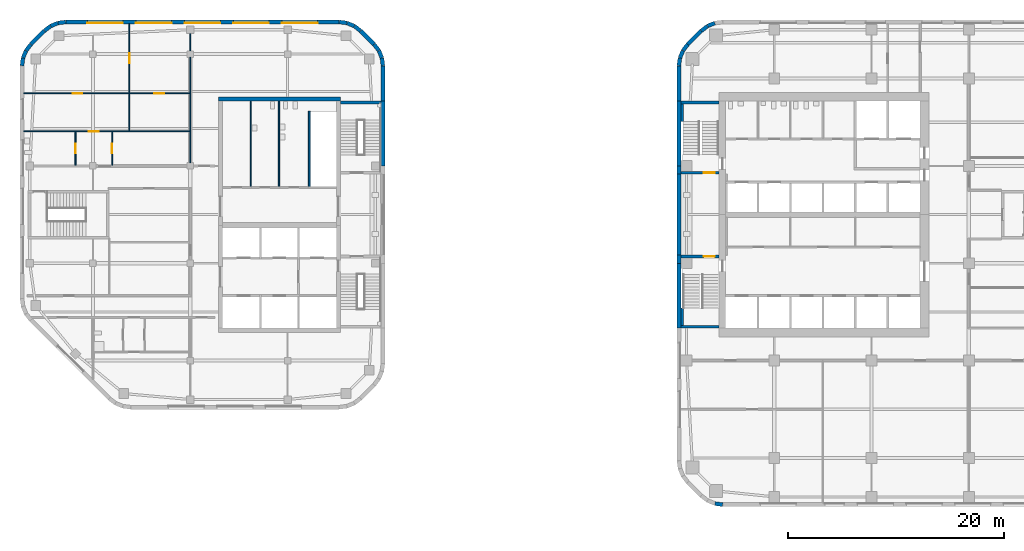
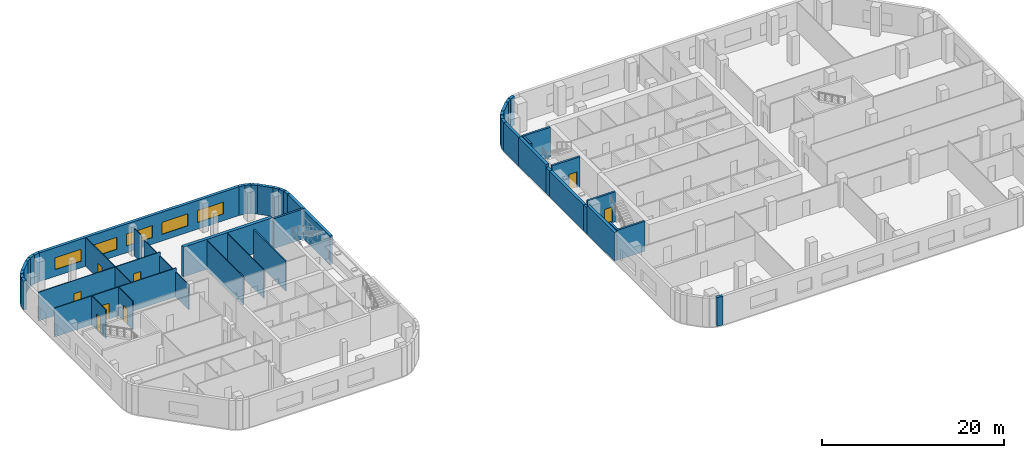
# One storey, part 7 of 14: 51 walls, 8 doors, 5 windows, 13 openings.
"""IFC4 building model written with IfcOpenShell, lengths in metres."""

from ifc_helpers import new_model, si_unit, direction, frame, frame_2d, origin, place, context, subcontext, project, spatial, rectangle, extrude, material, layer, layer_set, type_object, element, fill, save


model = new_model("IFC4")

# Units and contexts
model_context = context("Model", 3, precision=1e-05, world=origin(), true_north=direction((0.0, 1.0)))
body_context = subcontext(model_context, "Body", "Model", "MODEL_VIEW")
ifc_project = project(units=[si_unit("LENGTHUNIT", "METRE"), si_unit("AREAUNIT", "SQUARE_METRE"), si_unit("VOLUMEUNIT", "CUBIC_METRE"), si_unit("PLANEANGLEUNIT", "RADIAN"), si_unit("MASSUNIT", "GRAM", prefix="KILO")], contexts=[model_context])

# Site, building, storey
site_placement = place(None, origin())
site = spatial("IfcSite", under=ifc_project, at=site_placement, CompositionType="ELEMENT")
building_placement = place(site_placement, origin())
building = spatial("IfcBuilding", under=site, at=building_placement, Name="Cinnabar Reach Civic Tower", CompositionType="ELEMENT")
storey_placement = place(building_placement, frame((0.0, 0.0, 136.0)))
storey = spatial("IfcBuildingStorey", under=building, at=storey_placement, Name="L32", CompositionType="ELEMENT", Elevation=136.0)

# Walls
ifc_material_1 = material(Name="Facing brick with insulated backing", Category="masonry")
ifc_layer_1 = layer(ifc_material_1, 0.36)
ifc_layer_set_1 = layer_set([ifc_layer_1], Name="Brick corner wall")
wall_type_1 = type_object("IfcWallType", Name="Brick corner wall", PredefinedType="STANDARD", material=ifc_layer_set_1)
wall_1_placement = place(storey_placement, frame((3.5027, 49.2181, 0.0), z_axis=(0.0, 0.0, 1.0), x_axis=(-0.923871547278, -0.382702709855, 0.0)))
element("IfcWall", 1, at=wall_1_placement, inside=storey, type_object=wall_type_1, Name="Brick corner wall", PredefinedType="STANDARD", context=body_context, shape_type="SweptSolid", body=[
    extrude(rectangle(XDim=0.7131, YDim=0.36, at=frame_2d((0.3565, 0.0))), origin(), (0.0, 0.0, 1.0), 3.85),
])
for number, where, z_axis, x_axis, name in (
    (2, (2.8245, 48.934, 0.0), (0.0, 0.0, 1.0), (-0.793321924995, -0.608802368033, 0.0), "Brick corner wall"),
    (3, (1.0002, 47.2413, 0.0), (0.0, 0.0, 1.0), (-0.608802368033, -0.793321924995, 0.0), "Brick corner wall"),
):
    element("IfcWall", number, at=place(storey_placement, frame(where, z_axis=z_axis, x_axis=x_axis)), inside=storey, type_object=wall_type_1, Name=name, PredefinedType="STANDARD", context=body_context, shape_type="SweptSolid", body=[
        extrude(rectangle(XDim=0.7132, YDim=0.36, at=frame_2d((0.3566, 0.0))), origin(), (0.0, 0.0, 1.0), 3.85),
    ])
for number, where, z_axis, x_axis, name in (
    (4, (0.5548, 46.6561, 0.0), (0.0, 0.0, 1.0), (-0.382702709855, -0.923871547278, 0.0), "Brick corner wall"),
    (5, (0.2761, 45.9756, 0.0), (0.0, 0.0, 1.0), (-0.13055608231, -0.99144092581, 0.0), "Brick corner wall"),
    (6, (3.5244, 4.7761, 0.0), (0.0, 0.0, 1.0), (0.99144092581, -0.13055608231, 0.0), "Brick corner wall"),
    (7, (-27.183, 45.2686, 0.0), (0.0, 0.0, 1.0), (-0.13055608231, 0.99144092581, 0.0), "Brick corner wall"),
    (8, (-27.2819, 45.9973, 0.0), (0.0, 0.0, 1.0), (-0.382702709855, 0.923871547278, 0.0), "Brick corner wall"),
):
    element("IfcWall", number, at=place(storey_placement, frame(where, z_axis=z_axis, x_axis=x_axis)), inside=storey, type_object=wall_type_1, Name=name, PredefinedType="STANDARD", context=body_context, shape_type="SweptSolid", body=[
        extrude(rectangle(XDim=0.7131, YDim=0.36, at=frame_2d((0.3565, 0.0))), origin(), (0.0, 0.0, 1.0), 3.85),
    ])
for number, where, z_axis, x_axis, name in (
    (9, (-27.566, 46.6755, 0.0), (0.0, 0.0, 1.0), (-0.608802368033, 0.793321924995, 0.0), "Brick corner wall"),
    (10, (-29.2587, 48.4998, 0.0), (0.0, 0.0, 1.0), (-0.793321924995, 0.608802368033, 0.0), "Brick corner wall"),
):
    element("IfcWall", number, at=place(storey_placement, frame(where, z_axis=z_axis, x_axis=x_axis)), inside=storey, type_object=wall_type_1, Name=name, PredefinedType="STANDARD", context=body_context, shape_type="SweptSolid", body=[
        extrude(rectangle(XDim=0.7132, YDim=0.36, at=frame_2d((0.3566, 0.0))), origin(), (0.0, 0.0, 1.0), 3.85),
    ])
for number, where, z_axis, x_axis, name in (
    (11, (-29.8439, 48.9452, 0.0), (0.0, 0.0, 1.0), (-0.923871547278, 0.382702709855, 0.0), "Brick corner wall"),
    (12, (-30.5244, 49.2239, 0.0), (0.0, 0.0, 1.0), (-0.99144092581, 0.13055608231, 0.0), "Brick corner wall"),
    (13, (-56.5186, 49.317, 0.0), (0.0, 0.0, 1.0), (-0.99144092581, -0.13055608231, 0.0), "Brick corner wall"),
    (14, (-57.2473, 49.2181, 0.0), (0.0, 0.0, 1.0), (-0.923871547278, -0.382702709855, 0.0), "Brick corner wall"),
):
    element("IfcWall", number, at=place(storey_placement, frame(where, z_axis=z_axis, x_axis=x_axis)), inside=storey, type_object=wall_type_1, Name=name, PredefinedType="STANDARD", context=body_context, shape_type="SweptSolid", body=[
        extrude(rectangle(XDim=0.7131, YDim=0.36, at=frame_2d((0.3565, 0.0))), origin(), (0.0, 0.0, 1.0), 3.85),
    ])
for number, where, z_axis, x_axis, name in (
    (15, (-57.9255, 48.934, 0.0), (0.0, 0.0, 1.0), (-0.793321924995, -0.608802368033, 0.0), "Brick corner wall"),
    (16, (-59.7498, 47.2413, 0.0), (0.0, 0.0, 1.0), (-0.608802368033, -0.793321924995, 0.0), "Brick corner wall"),
):
    element("IfcWall", number, at=place(storey_placement, frame(where, z_axis=z_axis, x_axis=x_axis)), inside=storey, type_object=wall_type_1, Name=name, PredefinedType="STANDARD", context=body_context, shape_type="SweptSolid", body=[
        extrude(rectangle(XDim=0.7132, YDim=0.36, at=frame_2d((0.3566, 0.0))), origin(), (0.0, 0.0, 1.0), 3.85),
    ])
for number, where, z_axis, x_axis, name in (
    (17, (-60.1952, 46.6561, 0.0), (0.0, 0.0, 1.0), (-0.382702709855, -0.923871547278, 0.0), "Brick corner wall"),
    (18, (-60.4739, 45.9756, 0.0), (0.0, 0.0, 1.0), (-0.13055608231, -0.99144092581, 0.0), "Brick corner wall"),
):
    element("IfcWall", number, at=place(storey_placement, frame(where, z_axis=z_axis, x_axis=x_axis)), inside=storey, type_object=wall_type_1, Name=name, PredefinedType="STANDARD", context=body_context, shape_type="SweptSolid", body=[
        extrude(rectangle(XDim=0.7131, YDim=0.36, at=frame_2d((0.3565, 0.0))), origin(), (0.0, 0.0, 1.0), 3.85),
    ])
ifc_layer_2 = layer(ifc_material_1, 0.36)
ifc_layer_set_2 = layer_set([ifc_layer_2], Name="Brick pier and spandrel wall")
wall_type_2 = type_object("IfcWallType", Name="Brick pier and spandrel wall", PredefinedType="STANDARD", material=ifc_layer_set_2)
wall_2_placement = place(storey_placement, frame((2.2486, 48.494, 0.0), z_axis=(0.0, 0.0, 1.0), x_axis=(-0.707106781187, -0.707106781187, 0.0)))
element("IfcWall", 19, at=wall_2_placement, inside=storey, type_object=wall_type_2, Name="Brick facade wall", PredefinedType="STANDARD", context=body_context, shape_type="SweptSolid", body=[
    extrude(rectangle(XDim=1.7573, YDim=0.36, at=frame_2d((0.8787, 0.0))), origin(), (0.0, 0.0, 1.0), 3.85),
])
wall_3_placement = place(storey_placement, frame((0.18, 45.2574, 0.0), z_axis=(0.0, 0.0, 1.0), x_axis=(0.0, -1.0, 0.0)))
element("IfcWall", 20, at=wall_3_placement, inside=storey, type_object=wall_type_2, Name="Brick facade wall", PredefinedType="STANDARD", context=body_context, shape_type="SweptSolid", body=[
    extrude(rectangle(XDim=3.2574, YDim=0.36, at=frame_2d((1.6287, 0.0))), origin(), (0.0, 0.0, 1.0), 3.85),
])
wall_4_placement = place(storey_placement, frame((0.18, 42.0, 0.0), z_axis=(0.0, 0.0, 1.0), x_axis=(0.0, -1.0, 0.0)))
element("IfcWall", 21, at=wall_4_placement, inside=storey, type_object=wall_type_2, Name="Brick facade wall", PredefinedType="STANDARD", context=body_context, shape_type="SweptSolid", body=[
    extrude(rectangle(XDim=6.0, YDim=0.36, at=frame_2d((3.0, 0.0))), origin(), (0.0, 0.0, 1.0), 3.85),
])
wall_5_placement = place(storey_placement, frame((0.18, 36.0, 0.0), z_axis=(0.0, 0.0, 1.0), x_axis=(0.0, -1.0, 0.0)))
element("IfcWall", 22, at=wall_5_placement, inside=storey, type_object=wall_type_2, Name="Brick facade wall", PredefinedType="STANDARD", context=body_context, shape_type="SweptSolid", body=[
    extrude(rectangle(XDim=0.75, YDim=0.36, at=frame_2d((0.375, 0.0))), origin(), (0.0, 0.0, 1.0), 3.436),
])
wall_6_placement = place(storey_placement, frame((0.18, 35.25, 0.0), z_axis=(0.0, 0.0, 1.0), x_axis=(0.0, -1.0, 0.0)))
element("IfcWall", 23, at=wall_6_placement, inside=storey, type_object=wall_type_2, Name="Brick facade wall", PredefinedType="STANDARD", context=body_context, shape_type="SweptSolid", body=[
    extrude(rectangle(XDim=7.5, YDim=0.36, at=frame_2d((3.75, 0.0))), origin(), (0.0, 0.0, 1.0), 3.436),
])
wall_7_placement = place(storey_placement, frame((0.18, 27.75, 0.0), z_axis=(0.0, 0.0, 1.0), x_axis=(0.0, -1.0, 0.0)))
element("IfcWall", 24, at=wall_7_placement, inside=storey, type_object=wall_type_2, Name="Brick facade wall", PredefinedType="STANDARD", context=body_context, shape_type="SweptSolid", body=[
    extrude(rectangle(XDim=0.75, YDim=0.36, at=frame_2d((0.375, 0.0))), origin(), (0.0, 0.0, 1.0), 3.436),
])
for number, where, z_axis, x_axis, name in (
    (25, (0.18, 27.0, 0.0), (0.0, 0.0, 1.0), (0.0, -1.0, 0.0), "Brick facade wall"),
    (26, (-27.18, 36.0, 0.0), (0.0, 0.0, 1.0), (0.0, 1.0, 0.0), "Brick facade wall"),
):
    element("IfcWall", number, at=place(storey_placement, frame(where, z_axis=z_axis, x_axis=x_axis)), inside=storey, type_object=wall_type_2, Name=name, PredefinedType="STANDARD", context=body_context, shape_type="SweptSolid", body=[
        extrude(rectangle(XDim=6.0, YDim=0.36, at=frame_2d((3.0, 0.0))), origin(), (0.0, 0.0, 1.0), 3.85),
    ])
wall_8_placement = place(storey_placement, frame((-27.18, 42.0, 0.0), z_axis=(0.0, 0.0, 1.0), x_axis=(0.0, 1.0, 0.0)))
element("IfcWall", 27, at=wall_8_placement, inside=storey, type_object=wall_type_2, Name="Brick facade wall", PredefinedType="STANDARD", context=body_context, shape_type="SweptSolid", body=[
    extrude(rectangle(XDim=3.2574, YDim=0.36, at=frame_2d((1.6287, 0.0))), origin(), (0.0, 0.0, 1.0), 3.85),
])
wall_9_placement = place(storey_placement, frame((-28.006, 47.2514, 0.0), z_axis=(0.0, 0.0, 1.0), x_axis=(-0.707106781187, 0.707106781187, 0.0)))
element("IfcWall", 28, at=wall_9_placement, inside=storey, type_object=wall_type_2, Name="Brick facade wall", PredefinedType="STANDARD", context=body_context, shape_type="SweptSolid", body=[
    extrude(rectangle(XDim=1.7573, YDim=0.36, at=frame_2d((0.8787, 0.0))), origin(), (0.0, 0.0, 1.0), 3.85),
])

# Wall, openings, windows
wall_10_placement = place(storey_placement, frame((-31.2426, 49.32, 0.0), z_axis=(0.0, 0.0, 1.0), x_axis=(-1.0, 0.0, 0.0)))
wall_10 = element("IfcWall", 29, at=wall_10_placement, inside=storey, type_object=wall_type_2, Name="Brick facade wall", PredefinedType="STANDARD", context=body_context, shape_type="SweptSolid", body=[
    extrude(rectangle(XDim=25.2648, YDim=0.36, at=frame_2d((12.6324, 0.0))), origin(), (0.0, 0.0, 1.0), 3.85),
])
opening_1_placement = place(wall_10_placement, frame((1.9824, 0.0, 0.9)))
opening_1 = element("IfcOpeningElement", 30, at=opening_1_placement, cuts=wall_10, Name="Opening W2797", PredefinedType="OPENING", context=body_context, shape_type="SweptSolid", body=[
    extrude(rectangle(XDim=3.3, YDim=1.6, at=frame_2d((1.65, 0.8))), frame((0.0, 0.19, 0.0), z_axis=(0.0, -1.0, 0.0), x_axis=(1.0, 0.0, 0.0)), (0.0, 0.0, 1.0), 0.38),
])
opening_2_placement = place(wall_10_placement, frame((6.4824, 0.0, 0.9)))
opening_2 = element("IfcOpeningElement", 31, at=opening_2_placement, cuts=wall_10, Name="Opening W2798", PredefinedType="OPENING", context=body_context, shape_type="SweptSolid", body=[
    extrude(rectangle(XDim=3.3, YDim=1.6, at=frame_2d((1.65, 0.8))), frame((0.0, 0.19, 0.0), z_axis=(0.0, -1.0, 0.0), x_axis=(1.0, 0.0, 0.0)), (0.0, 0.0, 1.0), 0.38),
])
opening_3_placement = place(wall_10_placement, frame((10.9824, 0.0, 0.9)))
opening_3 = element("IfcOpeningElement", 32, at=opening_3_placement, cuts=wall_10, Name="Opening W2799", PredefinedType="OPENING", context=body_context, shape_type="SweptSolid", body=[
    extrude(rectangle(XDim=3.3, YDim=1.6, at=frame_2d((1.65, 0.8))), frame((0.0, 0.19, 0.0), z_axis=(0.0, -1.0, 0.0), x_axis=(1.0, 0.0, 0.0)), (0.0, 0.0, 1.0), 0.38),
])
opening_4_placement = place(wall_10_placement, frame((15.4824, 0.0, 0.9)))
opening_4 = element("IfcOpeningElement", 33, at=opening_4_placement, cuts=wall_10, Name="Opening W2800", PredefinedType="OPENING", context=body_context, shape_type="SweptSolid", body=[
    extrude(rectangle(XDim=3.3, YDim=1.6, at=frame_2d((1.65, 0.8))), frame((0.0, 0.19, 0.0), z_axis=(0.0, -1.0, 0.0), x_axis=(1.0, 0.0, 0.0)), (0.0, 0.0, 1.0), 0.38),
])
opening_5_placement = place(wall_10_placement, frame((19.9824, 0.0, 0.9)))
opening_5 = element("IfcOpeningElement", 34, at=opening_5_placement, cuts=wall_10, Name="Opening W2801", PredefinedType="OPENING", context=body_context, shape_type="SweptSolid", body=[
    extrude(rectangle(XDim=3.3, YDim=1.6, at=frame_2d((1.65, 0.8))), frame((0.0, 0.19, 0.0), z_axis=(0.0, -1.0, 0.0), x_axis=(1.0, 0.0, 0.0)), (0.0, 0.0, 1.0), 0.38),
])
ifc_material_2 = material(Name="Clear double glazing in aluminium frame", Category="aluminium")
window_type = type_object("IfcWindowType", Name="Deep-set window A", PartitioningType="SINGLE_PANEL", PredefinedType="WINDOW", material=ifc_material_2)
window_1_placement = place(opening_1_placement, origin())
window_1 = element("IfcWindow", 35, at=window_1_placement, inside=storey, type_object=window_type, Name="Window north face", OverallHeight=1.6, OverallWidth=3.3, PartitioningType="SINGLE_PANEL", PredefinedType="WINDOW", context=body_context, shape_type="SweptSolid", body=[
    extrude(rectangle(XDim=3.3, YDim=1.6, at=frame_2d((1.65, 0.8))), frame((0.0, 0.13, 0.0), z_axis=(0.0, -1.0, 0.0), x_axis=(1.0, 0.0, 0.0)), (0.0, 0.0, 1.0), 0.06),
])
fill(opening_1, window_1)
window_2_placement = place(opening_2_placement, origin())
window_2 = element("IfcWindow", 36, at=window_2_placement, inside=storey, type_object=window_type, Name="Window north face", OverallHeight=1.6, OverallWidth=3.3, PartitioningType="SINGLE_PANEL", PredefinedType="WINDOW", context=body_context, shape_type="SweptSolid", body=[
    extrude(rectangle(XDim=3.3, YDim=1.6, at=frame_2d((1.65, 0.8))), frame((0.0, 0.13, 0.0), z_axis=(0.0, -1.0, 0.0), x_axis=(1.0, 0.0, 0.0)), (0.0, 0.0, 1.0), 0.06),
])
fill(opening_2, window_2)
window_3_placement = place(opening_3_placement, origin())
window_3 = element("IfcWindow", 37, at=window_3_placement, inside=storey, type_object=window_type, Name="Window north face", OverallHeight=1.6, OverallWidth=3.3, PartitioningType="SINGLE_PANEL", PredefinedType="WINDOW", context=body_context, shape_type="SweptSolid", body=[
    extrude(rectangle(XDim=3.3, YDim=1.6, at=frame_2d((1.65, 0.8))), frame((0.0, 0.13, 0.0), z_axis=(0.0, -1.0, 0.0), x_axis=(1.0, 0.0, 0.0)), (0.0, 0.0, 1.0), 0.06),
])
fill(opening_3, window_3)
window_4_placement = place(opening_4_placement, origin())
window_4 = element("IfcWindow", 38, at=window_4_placement, inside=storey, type_object=window_type, Name="Window north face", OverallHeight=1.6, OverallWidth=3.3, PartitioningType="SINGLE_PANEL", PredefinedType="WINDOW", context=body_context, shape_type="SweptSolid", body=[
    extrude(rectangle(XDim=3.3, YDim=1.6, at=frame_2d((1.65, 0.8))), frame((0.0, 0.13, 0.0), z_axis=(0.0, -1.0, 0.0), x_axis=(1.0, 0.0, 0.0)), (0.0, 0.0, 1.0), 0.06),
])
fill(opening_4, window_4)
window_5_placement = place(opening_5_placement, origin())
window_5 = element("IfcWindow", 39, at=window_5_placement, inside=storey, type_object=window_type, Name="Window north face", OverallHeight=1.6, OverallWidth=3.3, PartitioningType="SINGLE_PANEL", PredefinedType="WINDOW", context=body_context, shape_type="SweptSolid", body=[
    extrude(rectangle(XDim=3.3, YDim=1.6, at=frame_2d((1.65, 0.8))), frame((0.0, 0.13, 0.0), z_axis=(0.0, -1.0, 0.0), x_axis=(1.0, 0.0, 0.0)), (0.0, 0.0, 1.0), 0.06),
])
fill(opening_5, window_5)

# Walls
wall_11_placement = place(storey_placement, frame((-58.5014, 48.494, 0.0), z_axis=(0.0, 0.0, 1.0), x_axis=(-0.707106781187, -0.707106781187, 0.0)))
element("IfcWall", 40, at=wall_11_placement, inside=storey, type_object=wall_type_2, Name="Brick facade wall", PredefinedType="STANDARD", context=body_context, shape_type="SweptSolid", body=[
    extrude(rectangle(XDim=1.7573, YDim=0.36, at=frame_2d((0.8787, 0.0))), origin(), (0.0, 0.0, 1.0), 3.85),
])
ifc_material_3 = material(Name="Concrete C60", Category="concrete")
ifc_layer_3 = layer(ifc_material_3, 0.4)
ifc_layer_set_3 = layer_set([ifc_layer_3], Name="Core wall 400 EI 180")
wall_type_3 = type_object("IfcWallType", Name="Core wall 400 EI 180", PredefinedType="SOLIDWALL", material=ifc_layer_set_3)
wall_12_placement = place(storey_placement, frame((-31.1, 42.2, 0.0), z_axis=(0.0, 0.0, 1.0), x_axis=(-1.0, 0.0, 0.0)))
element("IfcWall", 41, at=wall_12_placement, inside=storey, type_object=wall_type_3, Name="Core wall T2 L32 N", PredefinedType="SOLIDWALL", context=body_context, shape_type="SweptSolid", body=[
    extrude(rectangle(XDim=11.3, YDim=0.4, at=frame_2d((5.65, 0.0))), origin(), (0.0, 0.0, 1.0), 4.0),
])

# Wall, opening, door
ifc_material_4 = material(Name="Gypsum board on steel studs", Category="steel")
ifc_layer_4 = layer(ifc_material_4, 0.1)
ifc_layer_set_4 = layer_set([ifc_layer_4], Name="Partition wall 100 T2")
wall_type_4 = type_object("IfcWallType", Name="Partition wall 100 T2", PredefinedType="PARTITIONING", material=ifc_layer_set_4)
wall_13_placement = place(storey_placement, frame((-60.39, 39.2, 0.0), z_axis=(0.0, 0.0, 1.0), x_axis=(1.0, 0.0, 0.0)))
wall_13 = element("IfcWall", 42, at=wall_13_placement, inside=storey, type_object=wall_type_4, Name="Partition wall 9", PredefinedType="PARTITIONING", context=body_context, shape_type="SweptSolid", body=[
    extrude(rectangle(XDim=15.44, YDim=0.1, at=frame_2d((7.72, 0.0))), origin(), (0.0, 0.0, 1.0), 3.85),
])
opening_6_placement = place(wall_13_placement, frame((6.0209, 0.0, 0.0)))
opening_6 = element("IfcOpeningElement", 43, at=opening_6_placement, cuts=wall_13, Name="Opening D7156", PredefinedType="OPENING", context=body_context, shape_type="SweptSolid", body=[
    extrude(rectangle(XDim=0.9, YDim=2.1, at=frame_2d((0.45, 1.05))), frame((0.0, 0.06, 0.0), z_axis=(0.0, -1.0, 0.0), x_axis=(1.0, 0.0, 0.0)), (0.0, 0.0, 1.0), 0.12),
])
ifc_material_5 = material(Name="Timber door leaf in steel frame", Category="steel")
door_type_1 = type_object("IfcDoorType", Name="Single swing door 900 x 2100 T2", OperationType="SINGLE_SWING_LEFT", PredefinedType="DOOR", material=ifc_material_5)
door_1_placement = place(opening_6_placement, frame((0.9, 0.0, 0.0), z_axis=(0.0, 0.0, 1.0), x_axis=(-1.0, 0.0, 0.0)))
door_1 = element("IfcDoor", 44, at=door_1_placement, inside=storey, type_object=door_type_1, Name="Door D7156", OperationType="SINGLE_SWING_RIGHT", OverallHeight=2.1, OverallWidth=0.9, PredefinedType="DOOR", context=body_context, shape_type="SweptSolid", body=[
    extrude(rectangle(XDim=0.9, YDim=2.1, at=frame_2d((0.45, 1.05))), frame((0.0, 0.025, 0.0), z_axis=(0.0, -1.0, 0.0), x_axis=(1.0, 0.0, 0.0)), (0.0, 0.0, 1.0), 0.05),
])
fill(opening_6, door_1)

# Wall, openings, doors
wall_14_placement = place(storey_placement, frame((-60.39, 42.7102, 0.0), z_axis=(0.0, 0.0, 1.0), x_axis=(1.0, 0.0, 0.0)))
wall_14 = element("IfcWall", 45, at=wall_14_placement, inside=storey, type_object=wall_type_4, Name="Partition wall 10", PredefinedType="PARTITIONING", context=body_context, shape_type="SweptSolid", body=[
    extrude(rectangle(XDim=15.44, YDim=0.1, at=frame_2d((7.72, 0.0))), origin(), (0.0, 0.0, 1.0), 3.85),
])
opening_7_placement = place(wall_14_placement, frame((4.5, 0.0, 0.0)))
opening_7 = element("IfcOpeningElement", 46, at=opening_7_placement, cuts=wall_14, Name="Opening D7158", PredefinedType="OPENING", context=body_context, shape_type="SweptSolid", body=[
    extrude(rectangle(XDim=0.9, YDim=2.1, at=frame_2d((0.45, 1.05))), frame((0.0, 0.06, 0.0), z_axis=(0.0, -1.0, 0.0), x_axis=(1.0, 0.0, 0.0)), (0.0, 0.0, 1.0), 0.12),
])
opening_8_placement = place(wall_14_placement, frame((12.06, 0.0, 0.0)))
opening_8 = element("IfcOpeningElement", 47, at=opening_8_placement, cuts=wall_14, Name="Opening D7159", PredefinedType="OPENING", context=body_context, shape_type="SweptSolid", body=[
    extrude(rectangle(XDim=0.9, YDim=2.1, at=frame_2d((0.45, 1.05))), frame((0.0, 0.06, 0.0), z_axis=(0.0, -1.0, 0.0), x_axis=(1.0, 0.0, 0.0)), (0.0, 0.0, 1.0), 0.12),
])
door_2_placement = place(opening_7_placement, frame((0.9, 0.0, 0.0), z_axis=(0.0, 0.0, 1.0), x_axis=(-1.0, 0.0, 0.0)))
door_2 = element("IfcDoor", 48, at=door_2_placement, inside=storey, type_object=door_type_1, Name="Door D7158", OperationType="SINGLE_SWING_LEFT", OverallHeight=2.1, OverallWidth=0.9, PredefinedType="DOOR", context=body_context, shape_type="SweptSolid", body=[
    extrude(rectangle(XDim=0.9, YDim=2.1, at=frame_2d((0.45, 1.05))), frame((0.0, 0.025, 0.0), z_axis=(0.0, -1.0, 0.0), x_axis=(1.0, 0.0, 0.0)), (0.0, 0.0, 1.0), 0.05),
])
fill(opening_7, door_2)
door_3_placement = place(opening_8_placement, origin())
door_3 = element("IfcDoor", 49, at=door_3_placement, inside=storey, type_object=door_type_1, Name="Door D7159", OperationType="SINGLE_SWING_LEFT", OverallHeight=2.1, OverallWidth=0.9, PredefinedType="DOOR", context=body_context, shape_type="SweptSolid", body=[
    extrude(rectangle(XDim=0.9, YDim=2.1, at=frame_2d((0.45, 1.05))), frame((0.0, 0.025, 0.0), z_axis=(0.0, -1.0, 0.0), x_axis=(1.0, 0.0, 0.0)), (0.0, 0.0, 1.0), 0.05),
])
fill(opening_8, door_3)

# Walls
wall_15_placement = place(storey_placement, frame((-45.0, 42.7602, 0.0), z_axis=(0.0, 0.0, 1.0), x_axis=(0.0, 1.0, 0.0)))
element("IfcWall", 50, at=wall_15_placement, inside=storey, type_object=wall_type_4, Name="Partition wall 11", PredefinedType="PARTITIONING", context=body_context, shape_type="SweptSolid", body=[
    extrude(rectangle(XDim=3.2898, YDim=0.1, at=frame_2d((1.6449, 0.0))), origin(), (0.0, 0.0, 1.0), 3.362),
])
wall_16_placement = place(storey_placement, frame((-45.0, 39.25, 0.0), z_axis=(0.0, 0.0, 1.0), x_axis=(0.0, 1.0, 0.0)))
element("IfcWall", 51, at=wall_16_placement, inside=storey, type_object=wall_type_4, Name="Partition wall 12", PredefinedType="PARTITIONING", context=body_context, shape_type="SweptSolid", body=[
    extrude(rectangle(XDim=3.4102, YDim=0.1, at=frame_2d((1.7051, 0.0))), origin(), (0.0, 0.0, 1.0), 3.362),
])
wall_17_placement = place(storey_placement, frame((-45.0, 36.3, 0.0), z_axis=(0.0, 0.0, 1.0), x_axis=(0.0, 1.0, 0.0)))
element("IfcWall", 52, at=wall_17_placement, inside=storey, type_object=wall_type_4, Name="Partition wall 13", PredefinedType="PARTITIONING", context=body_context, shape_type="SweptSolid", body=[
    extrude(rectangle(XDim=2.85, YDim=0.1, at=frame_2d((1.425, 0.0))), origin(), (0.0, 0.0, 1.0), 3.362),
])
wall_18_placement = place(storey_placement, frame((-45.0, 46.65, 0.0), z_axis=(0.0, 0.0, 1.0), x_axis=(0.0, 1.0, 0.0)))
element("IfcWall", 53, at=wall_18_placement, inside=storey, type_object=wall_type_4, Name="Partition wall 14", PredefinedType="PARTITIONING", context=body_context, shape_type="SweptSolid", body=[
    extrude(rectangle(XDim=1.6, YDim=0.1, at=frame_2d((0.8, 0.0))), origin(), (0.0, 0.0, 1.0), 3.652),
])
wall_19_placement = place(storey_placement, frame((-50.63, 39.25, 0.0), z_axis=(0.0, 0.0, 1.0), x_axis=(0.0, 1.0, 0.0)))
element("IfcWall", 54, at=wall_19_placement, inside=storey, type_object=wall_type_4, Name="Partition wall 15", PredefinedType="PARTITIONING", context=body_context, shape_type="SweptSolid", body=[
    extrude(rectangle(XDim=3.4102, YDim=0.1, at=frame_2d((1.7051, 0.0))), origin(), (0.0, 0.0, 1.0), 3.85),
])

# Wall, opening, door
wall_20_placement = place(storey_placement, frame((-50.63, 42.7602, 0.0), z_axis=(0.0, 0.0, 1.0), x_axis=(0.0, 1.0, 0.0)))
wall_20 = element("IfcWall", 55, at=wall_20_placement, inside=storey, type_object=wall_type_4, Name="Partition wall 16", PredefinedType="PARTITIONING", context=body_context, shape_type="SweptSolid", body=[
    extrude(rectangle(XDim=6.3798, YDim=0.1, at=frame_2d((3.1899, 0.0))), origin(), (0.0, 0.0, 1.0), 3.85),
])
opening_9_placement = place(wall_20_placement, frame((2.75, 0.0, 0.0)))
opening_9 = element("IfcOpeningElement", 56, at=opening_9_placement, cuts=wall_20, Name="Opening D7157", PredefinedType="OPENING", context=body_context, shape_type="SweptSolid", body=[
    extrude(rectangle(XDim=0.9, YDim=2.1, at=frame_2d((0.45, 1.05))), frame((0.0, 0.06, 0.0), z_axis=(0.0, -1.0, 0.0), x_axis=(1.0, 0.0, 0.0)), (0.0, 0.0, 1.0), 0.12),
])
door_4_placement = place(opening_9_placement, frame((0.9, 0.0, 0.0), z_axis=(0.0, 0.0, 1.0), x_axis=(-1.0, 0.0, 0.0)))
door_4 = element("IfcDoor", 57, at=door_4_placement, inside=storey, type_object=door_type_1, Name="Door D7157", OperationType="SINGLE_SWING_RIGHT", OverallHeight=2.1, OverallWidth=0.9, PredefinedType="DOOR", context=body_context, shape_type="SweptSolid", body=[
    extrude(rectangle(XDim=0.9, YDim=2.1, at=frame_2d((0.45, 1.05))), frame((0.0, 0.025, 0.0), z_axis=(0.0, -1.0, 0.0), x_axis=(1.0, 0.0, 0.0)), (0.0, 0.0, 1.0), 0.05),
])
fill(opening_9, door_4)

wall_21_placement = place(storey_placement, frame((-55.6191, 36.075, 0.0), z_axis=(0.0, 0.0, 1.0), x_axis=(0.0, 1.0, 0.0)))
wall_21 = element("IfcWall", 58, at=wall_21_placement, inside=storey, type_object=wall_type_4, Name="Partition wall 26", PredefinedType="PARTITIONING", context=body_context, shape_type="SweptSolid", body=[
    extrude(rectangle(XDim=3.075, YDim=0.1, at=frame_2d((1.5375, 0.0))), origin(), (0.0, 0.0, 1.0), 3.85),
])
opening_10_placement = place(wall_21_placement, frame((1.1, 0.0, 0.0)))
opening_10 = element("IfcOpeningElement", 59, at=opening_10_placement, cuts=wall_21, Name="Opening D7154", PredefinedType="OPENING", context=body_context, shape_type="SweptSolid", body=[
    extrude(rectangle(XDim=0.9, YDim=2.1, at=frame_2d((0.45, 1.05))), frame((0.0, 0.06, 0.0), z_axis=(0.0, -1.0, 0.0), x_axis=(1.0, 0.0, 0.0)), (0.0, 0.0, 1.0), 0.12),
])
door_5_placement = place(opening_10_placement, origin())
door_5 = element("IfcDoor", 60, at=door_5_placement, inside=storey, type_object=door_type_1, Name="Door D7154", OperationType="SINGLE_SWING_LEFT", OverallHeight=2.1, OverallWidth=0.9, PredefinedType="DOOR", context=body_context, shape_type="SweptSolid", body=[
    extrude(rectangle(XDim=0.9, YDim=2.1, at=frame_2d((0.45, 1.05))), frame((0.0, 0.025, 0.0), z_axis=(0.0, -1.0, 0.0), x_axis=(1.0, 0.0, 0.0)), (0.0, 0.0, 1.0), 0.05),
])
fill(opening_10, door_5)

wall_22_placement = place(storey_placement, frame((-52.2333, 36.075, 0.0), z_axis=(0.0, 0.0, 1.0), x_axis=(0.0, 1.0, 0.0)))
wall_22 = element("IfcWall", 61, at=wall_22_placement, inside=storey, type_object=wall_type_4, Name="Partition wall 27", PredefinedType="PARTITIONING", context=body_context, shape_type="SweptSolid", body=[
    extrude(rectangle(XDim=3.075, YDim=0.1, at=frame_2d((1.5375, 0.0))), origin(), (0.0, 0.0, 1.0), 3.85),
])
opening_11_placement = place(wall_22_placement, frame((1.1, 0.0, 0.0)))
opening_11 = element("IfcOpeningElement", 62, at=opening_11_placement, cuts=wall_22, Name="Opening D7155", PredefinedType="OPENING", context=body_context, shape_type="SweptSolid", body=[
    extrude(rectangle(XDim=0.9, YDim=2.1, at=frame_2d((0.45, 1.05))), frame((0.0, 0.06, 0.0), z_axis=(0.0, -1.0, 0.0), x_axis=(1.0, 0.0, 0.0)), (0.0, 0.0, 1.0), 0.12),
])
door_6_placement = place(opening_11_placement, origin())
door_6 = element("IfcDoor", 63, at=door_6_placement, inside=storey, type_object=door_type_1, Name="Door D7155", OperationType="SINGLE_SWING_RIGHT", OverallHeight=2.1, OverallWidth=0.9, PredefinedType="DOOR", context=body_context, shape_type="SweptSolid", body=[
    extrude(rectangle(XDim=0.9, YDim=2.1, at=frame_2d((0.45, 1.05))), frame((0.0, 0.025, 0.0), z_axis=(0.0, -1.0, 0.0), x_axis=(1.0, 0.0, 0.0)), (0.0, 0.0, 1.0), 0.05),
])
fill(opening_11, door_6)

# Wall
ifc_layer_5 = layer(ifc_material_3, 0.25)
ifc_layer_set_5 = layer_set([ifc_layer_5], Name="Stair shaft wall 250 EI 120")
wall_type_5 = type_object("IfcWallType", Name="Stair shaft wall 250 EI 120", PredefinedType="SOLIDWALL", material=ifc_layer_set_5)
wall_23_placement = place(storey_placement, frame((0.36, 21.125, 0.0), z_axis=(0.0, 0.0, 1.0), x_axis=(1.0, 0.0, 0.0)))
element("IfcWall", 64, at=wall_23_placement, inside=storey, type_object=wall_type_5, Name="Stair shaft wall T1-S1 L32", PredefinedType="SOLIDWALL", context=body_context, shape_type="SweptSolid", body=[
    extrude(rectangle(XDim=3.54, YDim=0.25, at=frame_2d((1.77, 0.0))), origin(), (0.0, 0.0, 1.0), 4.0),
])

# Wall, opening, door
wall_24_placement = place(storey_placement, frame((3.9, 27.625, 0.0), z_axis=(0.0, 0.0, 1.0), x_axis=(-1.0, 0.0, 0.0)))
wall_24 = element("IfcWall", 65, at=wall_24_placement, inside=storey, type_object=wall_type_5, Name="Stair shaft wall T1-S1 L32", PredefinedType="SOLIDWALL", context=body_context, shape_type="SweptSolid", body=[
    extrude(rectangle(XDim=3.54, YDim=0.25, at=frame_2d((1.77, 0.0))), origin(), (0.0, 0.0, 1.0), 4.0),
])
opening_12_placement = place(wall_24_placement, frame((0.4, 0.0, 0.0)))
opening_12 = element("IfcOpeningElement", 66, at=opening_12_placement, cuts=wall_24, Name="Opening D4291", PredefinedType="OPENING", context=body_context, shape_type="SweptSolid", body=[
    extrude(rectangle(XDim=1.0, YDim=2.1, at=frame_2d((0.5, 1.05))), frame((0.0, 0.135, 0.0), z_axis=(0.0, -1.0, 0.0), x_axis=(1.0, 0.0, 0.0)), (0.0, 0.0, 1.0), 0.27),
])
door_type_2 = type_object("IfcDoorType", Name="Stair door 1000 x 2100 T1", OperationType="SINGLE_SWING_LEFT", PredefinedType="DOOR", material=ifc_material_5)
door_7_placement = place(opening_12_placement, origin())
door_7 = element("IfcDoor", 67, at=door_7_placement, inside=storey, type_object=door_type_2, Name="Door D4291", OperationType="SINGLE_SWING_LEFT", OverallHeight=2.1, OverallWidth=1.0, PredefinedType="DOOR", context=body_context, shape_type="SweptSolid", body=[
    extrude(rectangle(XDim=1.0, YDim=2.1, at=frame_2d((0.5, 1.05))), frame((0.0, 0.025, 0.0), z_axis=(0.0, -1.0, 0.0), x_axis=(1.0, 0.0, 0.0)), (0.0, 0.0, 1.0), 0.05),
])
fill(opening_12, door_7)

wall_25_placement = place(storey_placement, frame((0.36, 35.375, 0.0), z_axis=(0.0, 0.0, 1.0), x_axis=(1.0, 0.0, 0.0)))
wall_25 = element("IfcWall", 68, at=wall_25_placement, inside=storey, type_object=wall_type_5, Name="Stair shaft wall T1-S2 L32", PredefinedType="SOLIDWALL", context=body_context, shape_type="SweptSolid", body=[
    extrude(rectangle(XDim=3.54, YDim=0.25, at=frame_2d((1.77, 0.0))), origin(), (0.0, 0.0, 1.0), 4.0),
])
opening_13_placement = place(wall_25_placement, frame((2.14, 0.0, 0.0)))
opening_13 = element("IfcOpeningElement", 69, at=opening_13_placement, cuts=wall_25, Name="Opening D4293", PredefinedType="OPENING", context=body_context, shape_type="SweptSolid", body=[
    extrude(rectangle(XDim=1.0, YDim=2.1, at=frame_2d((0.5, 1.05))), frame((0.0, 0.135, 0.0), z_axis=(0.0, -1.0, 0.0), x_axis=(1.0, 0.0, 0.0)), (0.0, 0.0, 1.0), 0.27),
])
door_8_placement = place(opening_13_placement, origin())
door_8 = element("IfcDoor", 70, at=door_8_placement, inside=storey, type_object=door_type_2, Name="Door D4293", OperationType="SINGLE_SWING_RIGHT", OverallHeight=2.1, OverallWidth=1.0, PredefinedType="DOOR", context=body_context, shape_type="SweptSolid", body=[
    extrude(rectangle(XDim=1.0, YDim=2.1, at=frame_2d((0.5, 1.05))), frame((0.0, 0.025, 0.0), z_axis=(0.0, -1.0, 0.0), x_axis=(1.0, 0.0, 0.0)), (0.0, 0.0, 1.0), 0.05),
])
fill(opening_13, door_8)

# Walls
wall_26_placement = place(storey_placement, frame((3.9, 41.875, 0.0), z_axis=(0.0, 0.0, 1.0), x_axis=(-1.0, 0.0, 0.0)))
element("IfcWall", 71, at=wall_26_placement, inside=storey, type_object=wall_type_5, Name="Stair shaft wall T1-S2 L32", PredefinedType="SOLIDWALL", context=body_context, shape_type="SweptSolid", body=[
    extrude(rectangle(XDim=3.54, YDim=0.25, at=frame_2d((1.77, 0.0))), origin(), (0.0, 0.0, 1.0), 4.0),
])
wall_27_placement = place(storey_placement, frame((-27.36, 41.875, 0.0), z_axis=(0.0, 0.0, 1.0), x_axis=(-1.0, 0.0, 0.0)))
element("IfcWall", 72, at=wall_27_placement, inside=storey, type_object=wall_type_5, Name="Stair shaft wall T2-S2 L32", PredefinedType="SOLIDWALL", context=body_context, shape_type="SweptSolid", body=[
    extrude(rectangle(XDim=3.74, YDim=0.25, at=frame_2d((1.87, 0.0))), origin(), (0.0, 0.0, 1.0), 4.0),
])
ifc_material_6 = material(Name="Concrete C40/50", Category="concrete")
ifc_layer_6 = layer(ifc_material_6, 0.24)
ifc_layer_set_6 = layer_set([ifc_layer_6], Name="T1 landing bearer wall 240")
wall_type_6 = type_object("IfcWallType", Name="T1 landing bearer wall 240", PredefinedType="STANDARD", material=ifc_layer_set_6)
for number, where, z_axis, x_axis, name in (
    (73, (0.48, 21.25, 0.0), (0.0, 0.0, 1.0), (0.0, 1.0, 0.0), "T1-S1 landing bearer wall"),
    (74, (0.48, 40.13, 0.0), (0.0, 0.0, 1.0), (0.0, 1.0, 0.0), "T1-S2 landing bearer wall"),
):
    element("IfcWall", number, at=place(storey_placement, frame(where, z_axis=z_axis, x_axis=x_axis)), inside=storey, type_object=wall_type_6, Name=name, PredefinedType="STANDARD", context=body_context, shape_type="SweptSolid", body=[
        extrude(rectangle(XDim=1.62, YDim=0.24, at=frame_2d((0.81, 0.0))), origin(), (0.0, 0.0, 1.0), 4.0),
    ])
ifc_material_7 = material(Name="Gypsum board partition")
ifc_layer_7 = layer(ifc_material_7, 0.1)
ifc_layer_set_7 = layer_set([ifc_layer_7], Name="T2 Internal partition 100")
wall_type_7 = type_object("IfcWallType", Name="T2 Internal partition 100", PredefinedType="PARTITIONING", material=ifc_layer_set_7)
for number, where, z_axis, x_axis, name in (
    (75, (-39.4, 34.075, 0.0), (0.0, 0.0, 1.0), (0.0, 1.0, 0.0), "T2 Internal partition L32 017"),
    (76, (-36.8, 34.075, 0.0), (0.0, 0.0, 1.0), (0.0, 1.0, 0.0), "T2 Internal partition L32 018"),
):
    element("IfcWall", number, at=place(storey_placement, frame(where, z_axis=z_axis, x_axis=x_axis)), inside=storey, type_object=wall_type_7, Name=name, PredefinedType="PARTITIONING", context=body_context, shape_type="SweptSolid", body=[
        extrude(rectangle(XDim=7.925, YDim=0.1, at=frame_2d((3.9625, 0.0))), origin(), (0.0, 0.0, 1.0), 3.85),
    ])
ifc_material_8 = material(Name="Concrete C40", Category="concrete")
ifc_layer_8 = layer(ifc_material_8, 0.15)
ifc_layer_set_8 = layer_set([ifc_layer_8], Name="T2 Riser wall 150")
wall_type_8 = type_object("IfcWallType", Name="T2 Riser wall 150", PredefinedType="SOLIDWALL", material=ifc_layer_set_8)
wall_28_placement = place(storey_placement, frame((-34.0, 41.075, 0.0), z_axis=(0.0, 0.0, 1.0), x_axis=(0.0, -1.0, 0.0)))
element("IfcWall", 77, at=wall_28_placement, inside=storey, type_object=wall_type_8, Name="T2 Riser wall L32 013", PredefinedType="SOLIDWALL", context=body_context, shape_type="SweptSolid", body=[
    extrude(rectangle(XDim=7.0, YDim=0.15, at=frame_2d((3.5, 0.0))), origin(), (0.0, 0.0, 1.0), 4.0),
])

save(model, "model.ifc")
